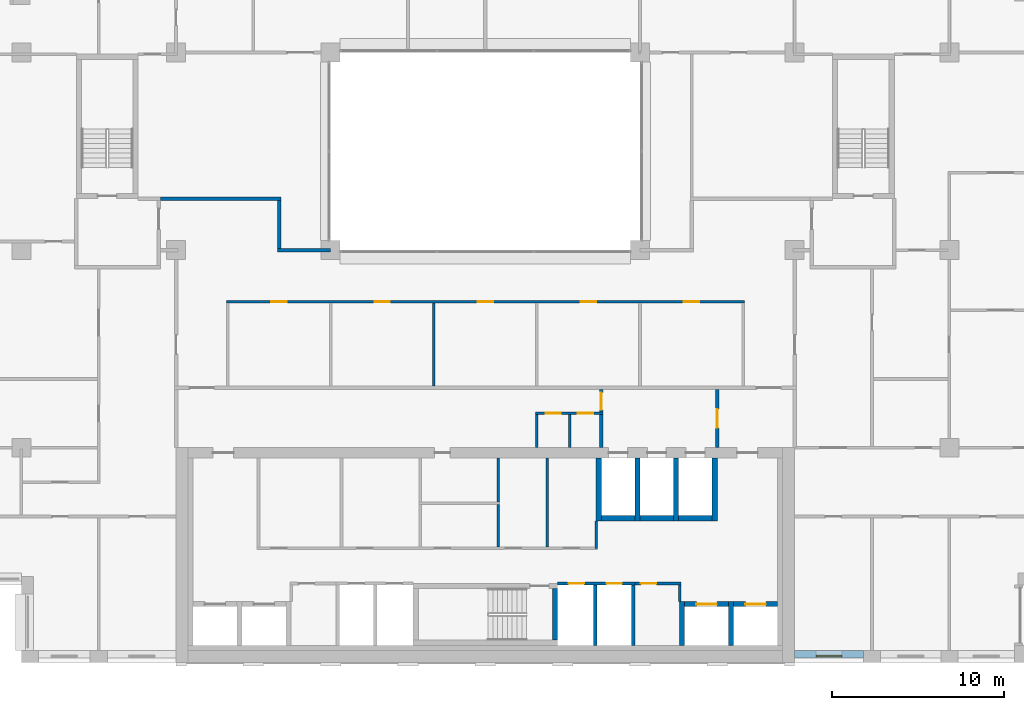
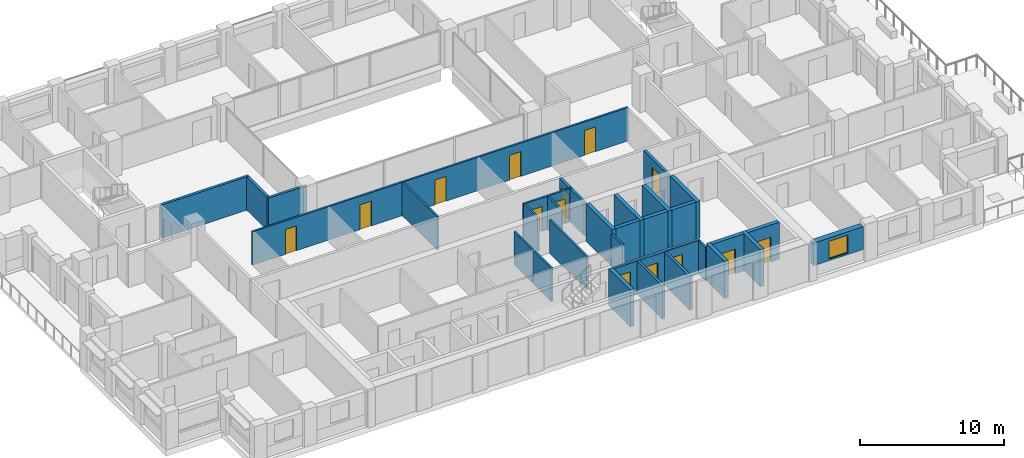
# One storey, part 10 of 17: 33 walls, 14 doors, 1 window, 15 openings.
"""IFC4 building model written with IfcOpenShell, lengths in metres."""

from ifc_helpers import new_model, si_unit, direction, frame, frame_2d, origin, place, context, subcontext, project, spatial, rectangle, extrude, material, layer, layer_set, type_object, element, fill, save


model = new_model("IFC4")

# Units and contexts
model_context = context("Model", 3, precision=1e-05, world=origin(), true_north=direction((0.0, 1.0)))
body_context = subcontext(model_context, "Body", "Model", "MODEL_VIEW")
ifc_project = project(units=[si_unit("LENGTHUNIT", "METRE"), si_unit("AREAUNIT", "SQUARE_METRE"), si_unit("VOLUMEUNIT", "CUBIC_METRE"), si_unit("PLANEANGLEUNIT", "RADIAN"), si_unit("MASSUNIT", "GRAM", prefix="KILO")], contexts=[model_context])

# Site, building, storey
site_placement = place(None, origin())
site = spatial("IfcSite", under=ifc_project, at=site_placement, CompositionType="ELEMENT")
building_placement = place(site_placement, origin())
building = spatial("IfcBuilding", under=site, at=building_placement, Name="Brigalow Station Residences", CompositionType="ELEMENT")
storey_placement = place(building_placement, frame((0.0, 0.0, 141.300048828125)))
storey = spatial("IfcBuildingStorey", under=building, at=storey_placement, Name="L40", CompositionType="ELEMENT", Elevation=141.300048828125)

# Wall, opening, window
ifc_material_1 = material(Name="Clay brick masonry", Category="masonry")
ifc_layer_1 = layer(ifc_material_1, 0.449951171875)
ifc_layer_set_1 = layer_set([ifc_layer_1], Name="BRICK INFILL WALL 450")
wall_type_1 = type_object("IfcWallType", Name="BRICK INFILL WALL 450", PredefinedType="SOLIDWALL", material=ifc_layer_set_1)
wall_1_placement = place(storey_placement, frame((54.0, 0.47509765625, 0.89990234375), z_axis=(0.0, 0.0, 1.0), x_axis=(1.0, 0.0, 0.0)))
wall_1 = element("IfcWall", 1, at=wall_1_placement, inside=storey, type_object=wall_type_1, Name="L40/ewall/W-L40-4", PredefinedType="SOLIDWALL", context=body_context, shape_type="SweptSolid", body=[
    extrude(rectangle(XDim=4.0, YDim=0.449951171875, at=frame_2d((2.0, 0.0))), origin(), (0.0, 0.0, 1.0), 1.929931640625),
])
opening_1_placement = place(wall_1_placement, frame((1.25, 0.0, 0.14990234375)))
opening_1 = element("IfcOpeningElement", 2, at=opening_1_placement, cuts=wall_1, Name="Opening WT-1", PredefinedType="OPENING", context=body_context, shape_type="SweptSolid", body=[
    extrude(rectangle(XDim=1.5, YDim=1.5, at=frame_2d((0.75, 0.75))), frame((0.0, 0.23486328125, 0.0), z_axis=(0.0, -1.0, 0.0), x_axis=(1.0, 0.0, 0.0)), (0.0, 0.0, 1.0), 0.469970703125),
])
ifc_material_2 = material(Name="Anodised aluminium frame with double glazing", Category="aluminium")
window_type = type_object("IfcWindowType", Name="WINDOW 1500x1500", PartitioningType="SINGLE_PANEL", PredefinedType="WINDOW", material=ifc_material_2)
window_placement = place(opening_1_placement, origin())
window = element("IfcWindow", 3, at=window_placement, inside=storey, type_object=window_type, Name="L40/window/W-L40-4", OverallHeight=1.5, OverallWidth=1.5, PartitioningType="SINGLE_PANEL", PredefinedType="WINDOW", context=body_context, shape_type="SweptSolid", body=[
    extrude(rectangle(XDim=1.5, YDim=1.5, at=frame_2d((0.75, 0.75))), frame((0.0, -0.06494140625, 0.0), z_axis=(0.0, -1.0, 0.0), x_axis=(1.0, 0.0, 0.0)), (0.0, 0.0, 1.0), 0.06005859375),
])
fill(opening_1, window)

# Walls
ifc_material_3 = material(Name="Concrete C65", Category="concrete")
ifc_layer_2 = layer(ifc_material_3, 0.300048828125)
ifc_layer_set_2 = layer_set([ifc_layer_2], Name="CORE SHEAR WALL 300 C65")
wall_type_2 = type_object("IfcWallType", Name="CORE SHEAR WALL 300 C65", PredefinedType="SHEAR", material=ifc_layer_set_2)
wall_2_placement = place(storey_placement, frame((42.75, 8.39990234375, 0.0), z_axis=(0.0, 0.0, 1.0), x_axis=(1.0, 0.0, 0.0)))
element("IfcWall", 4, at=wall_2_placement, inside=storey, type_object=wall_type_2, Name="CORE WALL SH-FF1-S L40", PredefinedType="SHEAR", context=body_context, shape_type="SweptSolid", body=[
    extrude(rectangle(XDim=1.949951171875, YDim=0.300048828125, at=frame_2d((0.97509765625, 0.0))), origin(), (0.0, 0.0, 1.0), 3.14990234375),
])
wall_3_placement = place(storey_placement, frame((42.60009765625, 8.25, 0.0), z_axis=(0.0, 0.0, 1.0), x_axis=(0.0, 1.0, 0.0)))
element("IfcWall", 5, at=wall_3_placement, inside=storey, type_object=wall_type_2, Name="CORE WALL SH-FF1-W L40", PredefinedType="SHEAR", context=body_context, shape_type="SweptSolid", body=[
    extrude(rectangle(XDim=3.64990234375, YDim=0.300048828125, at=frame_2d((1.824951171875, 0.0))), origin(), (0.0, 0.0, 1.0), 3.14990234375),
])
wall_4_placement = place(storey_placement, frame((45.0, 8.39990234375, 0.0), z_axis=(0.0, 0.0, 1.0), x_axis=(1.0, 0.0, 0.0)))
element("IfcWall", 6, at=wall_4_placement, inside=storey, type_object=wall_type_2, Name="CORE WALL SH-FF2-S L40", PredefinedType="SHEAR", context=body_context, shape_type="SweptSolid", body=[
    extrude(rectangle(XDim=1.949951171875, YDim=0.300048828125, at=frame_2d((0.97509765625, 0.0))), origin(), (0.0, 0.0, 1.0), 3.14990234375),
])
wall_5_placement = place(storey_placement, frame((44.85009765625, 8.25, 0.0), z_axis=(0.0, 0.0, 1.0), x_axis=(0.0, 1.0, 0.0)))
element("IfcWall", 7, at=wall_5_placement, inside=storey, type_object=wall_type_2, Name="CORE WALL SH-FF2-W L40", PredefinedType="SHEAR", context=body_context, shape_type="SweptSolid", body=[
    extrude(rectangle(XDim=3.64990234375, YDim=0.300048828125, at=frame_2d((1.824951171875, 0.0))), origin(), (0.0, 0.0, 1.0), 3.14990234375),
])
wall_6_placement = place(storey_placement, frame((47.25, 8.39990234375, 0.0), z_axis=(0.0, 0.0, 1.0), x_axis=(1.0, 0.0, 0.0)))
element("IfcWall", 8, at=wall_6_placement, inside=storey, type_object=wall_type_2, Name="CORE WALL SH-SL1-S L40", PredefinedType="SHEAR", context=body_context, shape_type="SweptSolid", body=[
    extrude(rectangle(XDim=1.949951171875, YDim=0.300048828125, at=frame_2d((0.97509765625, 0.0))), origin(), (0.0, 0.0, 1.0), 3.14990234375),
])
for number, where, z_axis, x_axis, name in (
    (9, (47.10009765625, 8.25, 0.0), (0.0, 0.0, 1.0), (0.0, 1.0, 0.0), "CORE WALL SH-SL1-W L40"),
    (10, (49.35009765625, 8.25, 0.0), (0.0, 0.0, 1.0), (0.0, 1.0, 0.0), "CORE WALL SH-SL1-E L40"),
):
    element("IfcWall", number, at=place(storey_placement, frame(where, z_axis=z_axis, x_axis=x_axis)), inside=storey, type_object=wall_type_2, Name=name, PredefinedType="SHEAR", context=body_context, shape_type="SweptSolid", body=[
        extrude(rectangle(XDim=3.64990234375, YDim=0.300048828125, at=frame_2d((1.824951171875, 0.0))), origin(), (0.0, 0.0, 1.0), 3.14990234375),
    ])

# Wall, opening, door
wall_7_placement = place(storey_placement, frame((47.60009765625, 3.39990234375, 0.0), z_axis=(0.0, 0.0, 1.0), x_axis=(1.0, 0.0, 0.0)))
wall_7 = element("IfcWall", 11, at=wall_7_placement, inside=storey, type_object=wall_type_2, Name="CORE WALL SH-C3-N L40", PredefinedType="SHEAR", context=body_context, shape_type="SweptSolid", body=[
    extrude(rectangle(XDim=2.5498046875, YDim=0.300048828125, at=frame_2d((1.27490234375, 0.0))), origin(), (0.0, 0.0, 1.0), 3.14990234375),
])
opening_2_placement = place(wall_7_placement, frame((0.675048828125, 0.0, 0.0)))
opening_2 = element("IfcOpeningElement", 12, at=opening_2_placement, cuts=wall_7, Name="Opening LD-LB3", PredefinedType="OPENING", context=body_context, shape_type="SweptSolid", body=[
    extrude(rectangle(XDim=1.199951171875, YDim=2.10009765625, at=frame_2d((0.60009765625, 1.050048828125))), frame((0.0, 0.16015625, 0.0), z_axis=(0.0, -1.0, 0.0), x_axis=(1.0, 0.0, 0.0)), (0.0, 0.0, 1.0), 0.320068359375),
])
ifc_material_4 = material(Name="Stainless steel sliding door leaves", Category="steel")
door_type_1 = type_object("IfcDoorType", Name="LIFT LANDING DOOR 1200 x 2100", OperationType="DOUBLE_DOOR_SLIDING", PredefinedType="DOOR", material=ifc_material_4)
door_1_placement = place(opening_2_placement, origin())
door_1 = element("IfcDoor", 13, at=door_1_placement, inside=storey, type_object=door_type_1, Name="LANDING DOOR LB3", OperationType="DOUBLE_DOOR_SLIDING", OverallHeight=2.10009765625, OverallWidth=1.199951171875, PredefinedType="DOOR", context=body_context, shape_type="SweptSolid", body=[
    extrude(rectangle(XDim=1.199951171875, YDim=2.10009765625, at=frame_2d((0.60009765625, 1.050048828125))), frame((0.0, 0.02490234375, 0.0), z_axis=(0.0, -1.0, 0.0), x_axis=(1.0, 0.0, 0.0)), (0.0, 0.0, 1.0), 0.050048828125),
])
fill(opening_2, door_1)

# Wall
wall_8_placement = place(storey_placement, frame((47.449951171875, 1.0, 0.0), z_axis=(0.0, 0.0, 1.0), x_axis=(0.0, 1.0, 0.0)))
element("IfcWall", 14, at=wall_8_placement, inside=storey, type_object=wall_type_2, Name="CORE WALL SH-C3-W L40", PredefinedType="SHEAR", context=body_context, shape_type="SweptSolid", body=[
    extrude(rectangle(XDim=2.550048828125, YDim=0.300048828125, at=frame_2d((1.27490234375, 0.0))), origin(), (0.0, 0.0, 1.0), 3.14990234375),
])

# Wall, opening, door
wall_9_placement = place(storey_placement, frame((50.449951171875, 3.39990234375, 0.0), z_axis=(0.0, 0.0, 1.0), x_axis=(1.0, 0.0, 0.0)))
wall_9 = element("IfcWall", 15, at=wall_9_placement, inside=storey, type_object=wall_type_2, Name="CORE WALL SH-C4-N L40", PredefinedType="SHEAR", context=body_context, shape_type="SweptSolid", body=[
    extrude(rectangle(XDim=2.550048828125, YDim=0.300048828125, at=frame_2d((1.27490234375, 0.0))), origin(), (0.0, 0.0, 1.0), 3.14990234375),
])
opening_3_placement = place(wall_9_placement, frame((0.675048828125, 0.0, 0.0)))
opening_3 = element("IfcOpeningElement", 16, at=opening_3_placement, cuts=wall_9, Name="Opening LD-LB4", PredefinedType="OPENING", context=body_context, shape_type="SweptSolid", body=[
    extrude(rectangle(XDim=1.199951171875, YDim=2.10009765625, at=frame_2d((0.60009765625, 1.050048828125))), frame((0.0, 0.16015625, 0.0), z_axis=(0.0, -1.0, 0.0), x_axis=(1.0, 0.0, 0.0)), (0.0, 0.0, 1.0), 0.320068359375),
])
door_2_placement = place(opening_3_placement, origin())
door_2 = element("IfcDoor", 17, at=door_2_placement, inside=storey, type_object=door_type_1, Name="LANDING DOOR LB4", OperationType="DOUBLE_DOOR_SLIDING", OverallHeight=2.10009765625, OverallWidth=1.199951171875, PredefinedType="DOOR", context=body_context, shape_type="SweptSolid", body=[
    extrude(rectangle(XDim=1.199951171875, YDim=2.10009765625, at=frame_2d((0.60009765625, 1.050048828125))), frame((0.0, 0.02490234375, 0.0), z_axis=(0.0, -1.0, 0.0), x_axis=(1.0, 0.0, 0.0)), (0.0, 0.0, 1.0), 0.050048828125),
])
fill(opening_3, door_2)

# Walls
wall_10_placement = place(storey_placement, frame((50.300048828125, 1.0, 0.0), z_axis=(0.0, 0.0, 1.0), x_axis=(0.0, 1.0, 0.0)))
element("IfcWall", 18, at=wall_10_placement, inside=storey, type_object=wall_type_2, Name="CORE WALL SH-C4-W L40", PredefinedType="SHEAR", context=body_context, shape_type="SweptSolid", body=[
    extrude(rectangle(XDim=2.550048828125, YDim=0.300048828125, at=frame_2d((1.27490234375, 0.0))), origin(), (0.0, 0.0, 1.0), 3.14990234375),
])
wall_11_placement = place(storey_placement, frame((40.050048828125, 1.300048828125, 0.0), z_axis=(0.0, 0.0, 1.0), x_axis=(0.0, 1.0, 0.0)))
element("IfcWall", 19, at=wall_11_placement, inside=storey, type_object=wall_type_2, Name="CORE WALL ST-S2-E L40", PredefinedType="SHEAR", context=body_context, shape_type="SweptSolid", body=[
    extrude(rectangle(XDim=3.0, YDim=0.300048828125, at=frame_2d((1.5, 0.0))), origin(), (0.0, 0.0, 1.0), 3.14990234375),
])

# Wall, openings, doors
ifc_material_5 = material(Name="Concrete blockwork", Category="masonry")
ifc_layer_3 = layer(ifc_material_5, 0.199951171875)
ifc_layer_set_3 = layer_set([ifc_layer_3], Name="FIRE RATED CORE PARTITION 200")
wall_type_3 = type_object("IfcWallType", Name="FIRE RATED CORE PARTITION 200", PredefinedType="PARTITIONING", material=ifc_layer_set_3)
wall_12_placement = place(storey_placement, frame((40.199951171875, 4.60009765625, 0.0), z_axis=(0.0, 0.0, 1.0), x_axis=(1.0, 0.0, 0.0)))
wall_12 = element("IfcWall", 20, at=wall_12_placement, inside=storey, type_object=wall_type_3, Name="PW-5018", PredefinedType="PARTITIONING", context=body_context, shape_type="SweptSolid", body=[
    extrude(rectangle(XDim=4.5, YDim=0.199951171875, at=frame_2d((2.25, 0.0))), origin(), (0.0, 0.0, 1.0), 2.829833984375),
])
opening_4_placement = place(wall_12_placement, frame((0.64990234375, 0.0, 0.0)))
opening_4 = element("IfcOpeningElement", 21, at=opening_4_placement, cuts=wall_12, Name="Opening D-5009", PredefinedType="OPENING", context=body_context, shape_type="SweptSolid", body=[
    extrude(rectangle(XDim=0.89990234375, YDim=2.10009765625, at=frame_2d((0.449951171875, 1.050048828125))), frame((0.0, 0.10986328125, 0.0), z_axis=(0.0, -1.0, 0.0), x_axis=(1.0, 0.0, 0.0)), (0.0, 0.0, 1.0), 0.219970703125),
])
opening_5_placement = place(wall_12_placement, frame((2.85009765625, 0.0, 0.0)))
opening_5 = element("IfcOpeningElement", 22, at=opening_5_placement, cuts=wall_12, Name="Opening D-5010", PredefinedType="OPENING", context=body_context, shape_type="SweptSolid", body=[
    extrude(rectangle(XDim=0.89990234375, YDim=2.10009765625, at=frame_2d((0.449951171875, 1.050048828125))), frame((0.0, 0.10986328125, 0.0), z_axis=(0.0, -1.0, 0.0), x_axis=(1.0, 0.0, 0.0)), (0.0, 0.0, 1.0), 0.219970703125),
])
ifc_material_6 = material(Name="Steel fire door leaf in steel frame", Category="steel")
door_type_2 = type_object("IfcDoorType", Name="RISER ACCESS DOOR 900 x 2100 FD120", OperationType="SINGLE_SWING_LEFT", PredefinedType="DOOR", material=ifc_material_6)
door_3_placement = place(opening_4_placement, frame((0.89990234375, 0.0, 0.0), z_axis=(0.0, 0.0, 1.0), x_axis=(-1.0, 0.0, 0.0)))
door_3 = element("IfcDoor", 23, at=door_3_placement, inside=storey, type_object=door_type_2, Name="D-5009", OperationType="SINGLE_SWING_LEFT", OverallHeight=2.10009765625, OverallWidth=0.89990234375, PredefinedType="DOOR", context=body_context, shape_type="SweptSolid", body=[
    extrude(rectangle(XDim=0.89990234375, YDim=2.10009765625, at=frame_2d((0.449951171875, 1.050048828125))), frame((0.0, 0.02490234375, 0.0), z_axis=(0.0, -1.0, 0.0), x_axis=(1.0, 0.0, 0.0)), (0.0, 0.0, 1.0), 0.050048828125),
])
fill(opening_4, door_3)
door_4_placement = place(opening_5_placement, frame((0.89990234375, 0.0, 0.0), z_axis=(0.0, 0.0, 1.0), x_axis=(-1.0, 0.0, 0.0)))
door_4 = element("IfcDoor", 24, at=door_4_placement, inside=storey, type_object=door_type_2, Name="D-5010", OperationType="SINGLE_SWING_LEFT", OverallHeight=2.10009765625, OverallWidth=0.89990234375, PredefinedType="DOOR", context=body_context, shape_type="SweptSolid", body=[
    extrude(rectangle(XDim=0.89990234375, YDim=2.10009765625, at=frame_2d((0.449951171875, 1.050048828125))), frame((0.0, 0.02490234375, 0.0), z_axis=(0.0, -1.0, 0.0), x_axis=(1.0, 0.0, 0.0)), (0.0, 0.0, 1.0), 0.050048828125),
])
fill(opening_5, door_4)

# Walls
for number, where, z_axis, x_axis, name in (
    (25, (42.39990234375, 1.0, 0.0), (0.0, 0.0, 1.0), (0.0, 1.0, 0.0), "PW-5007"),
    (26, (44.60009765625, 1.0, 0.0), (0.0, 0.0, 1.0), (0.0, 1.0, 0.0), "PW-5008"),
):
    element("IfcWall", number, at=place(storey_placement, frame(where, z_axis=z_axis, x_axis=x_axis)), inside=storey, type_object=wall_type_3, Name=name, PredefinedType="PARTITIONING", context=body_context, shape_type="SweptSolid", body=[
        extrude(rectangle(XDim=3.5, YDim=0.199951171875, at=frame_2d((1.75, 0.0))), origin(), (0.0, 0.0, 1.0), 2.829833984375),
    ])
wall_13_placement = place(storey_placement, frame((42.75, 12.5, 0.0), z_axis=(0.0, 0.0, 1.0), x_axis=(0.0, 1.0, 0.0)))
element("IfcWall", 27, at=wall_13_placement, inside=storey, type_object=wall_type_3, Name="PW-5046", PredefinedType="PARTITIONING", context=body_context, shape_type="SweptSolid", body=[
    extrude(rectangle(XDim=1.925048828125, YDim=0.199951171875, at=frame_2d((0.96240234375, 0.0))), origin(), (0.0, 0.0, 1.0), 2.829833984375),
])

# Wall, opening, door
wall_14_placement = place(storey_placement, frame((49.5, 12.5, 0.0), z_axis=(0.0, 0.0, 1.0), x_axis=(0.0, 1.0, 0.0)))
wall_14 = element("IfcWall", 28, at=wall_14_placement, inside=storey, type_object=wall_type_3, Name="PW-5015", PredefinedType="PARTITIONING", context=body_context, shape_type="SweptSolid", body=[
    extrude(rectangle(XDim=3.39990234375, YDim=0.199951171875, at=frame_2d((1.699951171875, 0.0))), origin(), (0.0, 0.0, 1.0), 2.829833984375),
])
opening_6_placement = place(wall_14_placement, frame((1.14990234375, 0.0, 0.0)))
opening_6 = element("IfcOpeningElement", 29, at=opening_6_placement, cuts=wall_14, Name="Opening D-5014", PredefinedType="OPENING", context=body_context, shape_type="SweptSolid", body=[
    extrude(rectangle(XDim=1.10009765625, YDim=2.10009765625, at=frame_2d((0.550048828125, 1.050048828125))), frame((0.0, 0.10986328125, 0.0), z_axis=(0.0, -1.0, 0.0), x_axis=(1.0, 0.0, 0.0)), (0.0, 0.0, 1.0), 0.219970703125),
])
ifc_material_7 = material(Name="Steel fire door leaf in steel frame", Category="steel")
door_type_3 = type_object("IfcDoorType", Name="LOBBY DOOR 1100 x 2100 FD60S", OperationType="SINGLE_SWING_LEFT", PredefinedType="DOOR", material=ifc_material_7)
door_5_placement = place(opening_6_placement, origin())
door_5 = element("IfcDoor", 30, at=door_5_placement, inside=storey, type_object=door_type_3, Name="D-5014", OperationType="SINGLE_SWING_LEFT", OverallHeight=2.10009765625, OverallWidth=1.10009765625, PredefinedType="DOOR", context=body_context, shape_type="SweptSolid", body=[
    extrude(rectangle(XDim=1.10009765625, YDim=2.10009765625, at=frame_2d((0.550048828125, 1.050048828125))), frame((0.0, 0.02490234375, 0.0), z_axis=(0.0, -1.0, 0.0), x_axis=(1.0, 0.0, 0.0)), (0.0, 0.0, 1.0), 0.050048828125),
])
fill(opening_6, door_5)

wall_15_placement = place(storey_placement, frame((42.75, 14.574951171875, 0.0), z_axis=(0.0, 0.0, 1.0), x_axis=(0.0, 1.0, 0.0)))
wall_15 = element("IfcWall", 31, at=wall_15_placement, inside=storey, type_object=wall_type_3, Name="PW-5047", PredefinedType="PARTITIONING", context=body_context, shape_type="SweptSolid", body=[
    extrude(rectangle(XDim=1.324951171875, YDim=0.199951171875, at=frame_2d((0.66259765625, 0.0))), origin(), (0.0, 0.0, 1.0), 2.829833984375),
])
opening_7_placement = place(wall_15_placement, frame((0.125, 0.0, 0.0)))
opening_7 = element("IfcOpeningElement", 32, at=opening_7_placement, cuts=wall_15, Name="Opening D-5013", PredefinedType="OPENING", context=body_context, shape_type="SweptSolid", body=[
    extrude(rectangle(XDim=1.0, YDim=2.10009765625, at=frame_2d((0.5, 1.050048828125))), frame((0.0, 0.10986328125, 0.0), z_axis=(0.0, -1.0, 0.0), x_axis=(1.0, 0.0, 0.0)), (0.0, 0.0, 1.0), 0.219970703125),
])
ifc_material_8 = material(Name="Steel fire door leaf in steel frame", Category="steel")
door_type_4 = type_object("IfcDoorType", Name="LOBBY DOOR 1000 x 2100 FD60S", OperationType="SINGLE_SWING_LEFT", PredefinedType="DOOR", material=ifc_material_8)
door_6_placement = place(opening_7_placement, origin())
door_6 = element("IfcDoor", 33, at=door_6_placement, inside=storey, type_object=door_type_4, Name="D-5013", OperationType="SINGLE_SWING_LEFT", OverallHeight=2.10009765625, OverallWidth=1.0, PredefinedType="DOOR", context=body_context, shape_type="SweptSolid", body=[
    extrude(rectangle(XDim=1.0, YDim=2.10009765625, at=frame_2d((0.5, 1.050048828125))), frame((0.0, 0.02490234375, 0.0), z_axis=(0.0, -1.0, 0.0), x_axis=(1.0, 0.0, 0.0)), (0.0, 0.0, 1.0), 0.050048828125),
])
fill(opening_7, door_6)

# Wall, openings, doors
ifc_material_9 = material(Name="Plasterboard on steel stud partition", Category="steel")
ifc_layer_4 = layer(ifc_material_9, 0.14990234375)
ifc_layer_set_4 = layer_set([ifc_layer_4], Name="FLAT PARTITION 150")
wall_type_4 = type_object("IfcWallType", Name="FLAT PARTITION 150", PredefinedType="PARTITIONING", material=ifc_layer_set_4)
wall_16_placement = place(storey_placement, frame((20.925048828125, 21.0, 0.0), z_axis=(0.0, 0.0, 1.0), x_axis=(1.0, 0.0, 0.0)))
wall_16 = element("IfcWall", 34, at=wall_16_placement, inside=storey, type_object=wall_type_4, Name="PW-3A06", PredefinedType="PARTITIONING", context=body_context, shape_type="SweptSolid", body=[
    extrude(rectangle(XDim=30.14990234375, YDim=0.14990234375, at=frame_2d((15.074951171875, 0.0))), origin(), (0.0, 0.0, 1.0), 2.829833984375),
])
opening_8_placement = place(wall_16_placement, frame((2.625, 0.0, 0.0)))
opening_8 = element("IfcOpeningElement", 35, at=opening_8_placement, cuts=wall_16, Name="Opening D-3A37", PredefinedType="OPENING", context=body_context, shape_type="SweptSolid", body=[
    extrude(rectangle(XDim=0.89990234375, YDim=2.10009765625, at=frame_2d((0.449951171875, 1.050048828125))), frame((0.0, 0.0849609375, 0.0), z_axis=(0.0, -1.0, 0.0), x_axis=(1.0, 0.0, 0.0)), (0.0, 0.0, 1.0), 0.169921875),
])
opening_9_placement = place(wall_16_placement, frame((8.625, 0.0, 0.0)))
opening_9 = element("IfcOpeningElement", 36, at=opening_9_placement, cuts=wall_16, Name="Opening D-3A38", PredefinedType="OPENING", context=body_context, shape_type="SweptSolid", body=[
    extrude(rectangle(XDim=0.89990234375, YDim=2.10009765625, at=frame_2d((0.449951171875, 1.050048828125))), frame((0.0, 0.0849609375, 0.0), z_axis=(0.0, -1.0, 0.0), x_axis=(1.0, 0.0, 0.0)), (0.0, 0.0, 1.0), 0.169921875),
])
opening_10_placement = place(wall_16_placement, frame((14.625, 0.0, 0.0)))
opening_10 = element("IfcOpeningElement", 37, at=opening_10_placement, cuts=wall_16, Name="Opening D-3A39", PredefinedType="OPENING", context=body_context, shape_type="SweptSolid", body=[
    extrude(rectangle(XDim=0.89990234375, YDim=2.10009765625, at=frame_2d((0.449951171875, 1.050048828125))), frame((0.0, 0.0849609375, 0.0), z_axis=(0.0, -1.0, 0.0), x_axis=(1.0, 0.0, 0.0)), (0.0, 0.0, 1.0), 0.169921875),
])
opening_11_placement = place(wall_16_placement, frame((20.625, 0.0, 0.0)))
opening_11 = element("IfcOpeningElement", 38, at=opening_11_placement, cuts=wall_16, Name="Opening D-3A40", PredefinedType="OPENING", context=body_context, shape_type="SweptSolid", body=[
    extrude(rectangle(XDim=0.89990234375, YDim=2.10009765625, at=frame_2d((0.449951171875, 1.050048828125))), frame((0.0, 0.0849609375, 0.0), z_axis=(0.0, -1.0, 0.0), x_axis=(1.0, 0.0, 0.0)), (0.0, 0.0, 1.0), 0.169921875),
])
opening_12_placement = place(wall_16_placement, frame((26.625, 0.0, 0.0)))
opening_12 = element("IfcOpeningElement", 39, at=opening_12_placement, cuts=wall_16, Name="Opening D-3A41", PredefinedType="OPENING", context=body_context, shape_type="SweptSolid", body=[
    extrude(rectangle(XDim=0.89990234375, YDim=2.10009765625, at=frame_2d((0.449951171875, 1.050048828125))), frame((0.0, 0.0849609375, 0.0), z_axis=(0.0, -1.0, 0.0), x_axis=(1.0, 0.0, 0.0)), (0.0, 0.0, 1.0), 0.169921875),
])
ifc_material_10 = material(Name="Solid-core timber door leaf", Category="wood")
door_type_5 = type_object("IfcDoorType", Name="INTERNAL DOOR 900 x 2100", OperationType="SINGLE_SWING_LEFT", PredefinedType="DOOR", material=ifc_material_10)
door_7_placement = place(opening_8_placement, frame((0.89990234375, 0.0, 0.0), z_axis=(0.0, 0.0, 1.0), x_axis=(-1.0, 0.0, 0.0)))
door_7 = element("IfcDoor", 40, at=door_7_placement, inside=storey, type_object=door_type_5, Name="D-3A37", OperationType="SINGLE_SWING_RIGHT", OverallHeight=2.10009765625, OverallWidth=0.89990234375, PredefinedType="DOOR", context=body_context, shape_type="SweptSolid", body=[
    extrude(rectangle(XDim=0.89990234375, YDim=2.10009765625, at=frame_2d((0.449951171875, 1.050048828125))), frame((0.0, 0.02490234375, 0.0), z_axis=(0.0, -1.0, 0.0), x_axis=(1.0, 0.0, 0.0)), (0.0, 0.0, 1.0), 0.050048828125),
])
fill(opening_8, door_7)
door_8_placement = place(opening_9_placement, frame((0.89990234375, 0.0, 0.0), z_axis=(0.0, 0.0, 1.0), x_axis=(-1.0, 0.0, 0.0)))
door_8 = element("IfcDoor", 41, at=door_8_placement, inside=storey, type_object=door_type_5, Name="D-3A38", OperationType="SINGLE_SWING_LEFT", OverallHeight=2.10009765625, OverallWidth=0.89990234375, PredefinedType="DOOR", context=body_context, shape_type="SweptSolid", body=[
    extrude(rectangle(XDim=0.89990234375, YDim=2.10009765625, at=frame_2d((0.449951171875, 1.050048828125))), frame((0.0, 0.02490234375, 0.0), z_axis=(0.0, -1.0, 0.0), x_axis=(1.0, 0.0, 0.0)), (0.0, 0.0, 1.0), 0.050048828125),
])
fill(opening_9, door_8)
door_9_placement = place(opening_10_placement, frame((0.89990234375, 0.0, 0.0), z_axis=(0.0, 0.0, 1.0), x_axis=(-1.0, 0.0, 0.0)))
door_9 = element("IfcDoor", 42, at=door_9_placement, inside=storey, type_object=door_type_5, Name="D-3A39", OperationType="SINGLE_SWING_LEFT", OverallHeight=2.10009765625, OverallWidth=0.89990234375, PredefinedType="DOOR", context=body_context, shape_type="SweptSolid", body=[
    extrude(rectangle(XDim=0.89990234375, YDim=2.10009765625, at=frame_2d((0.449951171875, 1.050048828125))), frame((0.0, 0.02490234375, 0.0), z_axis=(0.0, -1.0, 0.0), x_axis=(1.0, 0.0, 0.0)), (0.0, 0.0, 1.0), 0.050048828125),
])
fill(opening_10, door_9)
door_10_placement = place(opening_11_placement, frame((0.89990234375, 0.0, 0.0), z_axis=(0.0, 0.0, 1.0), x_axis=(-1.0, 0.0, 0.0)))
door_10 = element("IfcDoor", 43, at=door_10_placement, inside=storey, type_object=door_type_5, Name="D-3A40", OperationType="SINGLE_SWING_LEFT", OverallHeight=2.10009765625, OverallWidth=0.89990234375, PredefinedType="DOOR", context=body_context, shape_type="SweptSolid", body=[
    extrude(rectangle(XDim=0.89990234375, YDim=2.10009765625, at=frame_2d((0.449951171875, 1.050048828125))), frame((0.0, 0.02490234375, 0.0), z_axis=(0.0, -1.0, 0.0), x_axis=(1.0, 0.0, 0.0)), (0.0, 0.0, 1.0), 0.050048828125),
])
fill(opening_11, door_10)
door_11_placement = place(opening_12_placement, frame((0.89990234375, 0.0, 0.0), z_axis=(0.0, 0.0, 1.0), x_axis=(-1.0, 0.0, 0.0)))
door_11 = element("IfcDoor", 44, at=door_11_placement, inside=storey, type_object=door_type_5, Name="D-3A41", OperationType="SINGLE_SWING_RIGHT", OverallHeight=2.10009765625, OverallWidth=0.89990234375, PredefinedType="DOOR", context=body_context, shape_type="SweptSolid", body=[
    extrude(rectangle(XDim=0.89990234375, YDim=2.10009765625, at=frame_2d((0.449951171875, 1.050048828125))), frame((0.0, 0.02490234375, 0.0), z_axis=(0.0, -1.0, 0.0), x_axis=(1.0, 0.0, 0.0)), (0.0, 0.0, 1.0), 0.050048828125),
])
fill(opening_12, door_11)

# Walls
wall_17_placement = place(storey_placement, frame((33.0, 16.10009765625, 0.0), z_axis=(0.0, 0.0, 1.0), x_axis=(0.0, 1.0, 0.0)))
element("IfcWall", 45, at=wall_17_placement, inside=storey, type_object=wall_type_4, Name="PW-3A54", PredefinedType="PARTITIONING", context=body_context, shape_type="SweptSolid", body=[
    extrude(rectangle(XDim=4.824951171875, YDim=0.14990234375, at=frame_2d((2.41259765625, 0.0))), origin(), (0.0, 0.0, 1.0), 2.829833984375),
])
ifc_material_11 = material(Name="Plasterboard on steel stud partition", Category="steel")
ifc_layer_5 = layer(ifc_material_11, 0.199951171875)
ifc_layer_set_5 = layer_set([ifc_layer_5], Name="PARTY AND CORRIDOR WALL 200")
wall_type_5 = type_object("IfcWallType", Name="PARTY AND CORRIDOR WALL 200", PredefinedType="PARTITIONING", material=ifc_layer_set_5)
wall_18_placement = place(storey_placement, frame((23.89990234375, 24.0, 0.0), z_axis=(0.0, 0.0, 1.0), x_axis=(1.0, 0.0, 0.0)))
element("IfcWall", 46, at=wall_18_placement, inside=storey, type_object=wall_type_5, Name="PW-3A03", PredefinedType="PARTITIONING", context=body_context, shape_type="SweptSolid", body=[
    extrude(rectangle(XDim=3.10009765625, YDim=0.199951171875, at=frame_2d((1.550048828125, 0.0))), origin(), (0.0, 0.0, 1.0), 2.829833984375),
])
wall_19_placement = place(storey_placement, frame((17.10009765625, 27.0, 0.0), z_axis=(0.0, 0.0, 1.0), x_axis=(1.0, 0.0, 0.0)))
element("IfcWall", 47, at=wall_19_placement, inside=storey, type_object=wall_type_5, Name="PW-3A07", PredefinedType="PARTITIONING", context=body_context, shape_type="SweptSolid", body=[
    extrude(rectangle(XDim=7.0, YDim=0.199951171875, at=frame_2d((3.5, 0.0))), origin(), (0.0, 0.0, 1.0), 2.829833984375),
])
wall_20_placement = place(storey_placement, frame((24.0, 24.10009765625, 0.0), z_axis=(0.0, 0.0, 1.0), x_axis=(0.0, 1.0, 0.0)))
element("IfcWall", 48, at=wall_20_placement, inside=storey, type_object=wall_type_5, Name="PW-3A35", PredefinedType="PARTITIONING", context=body_context, shape_type="SweptSolid", body=[
    extrude(rectangle(XDim=2.7998046875, YDim=0.199951171875, at=frame_2d((1.39990234375, 0.0))), origin(), (0.0, 0.0, 1.0), 2.829833984375),
])

# Wall, opening, door
ifc_material_12 = material(Name="Plasterboard on steel studs", Category="steel")
ifc_layer_6 = layer(ifc_material_12, 0.14990234375)
ifc_layer_set_6 = layer_set([ifc_layer_6], Name="SERVICE ROOM PARTITION 150")
wall_type_6 = type_object("IfcWallType", Name="SERVICE ROOM PARTITION 150", PredefinedType="PARTITIONING", material=ifc_layer_set_6)
wall_21_placement = place(storey_placement, frame((44.699951171875, 4.60009765625, 0.0), z_axis=(0.0, 0.0, 1.0), x_axis=(1.0, 0.0, 0.0)))
wall_21 = element("IfcWall", 49, at=wall_21_placement, inside=storey, type_object=wall_type_6, Name="PW-5156", PredefinedType="PARTITIONING", context=body_context, shape_type="SweptSolid", body=[
    extrude(rectangle(XDim=2.675048828125, YDim=0.14990234375, at=frame_2d((1.33740234375, 0.0))), origin(), (0.0, 0.0, 1.0), 2.829833984375),
])
opening_13_placement = place(wall_21_placement, frame((0.35009765625, 0.0, 0.0)))
opening_13 = element("IfcOpeningElement", 50, at=opening_13_placement, cuts=wall_21, Name="Opening D-5026", PredefinedType="OPENING", context=body_context, shape_type="SweptSolid", body=[
    extrude(rectangle(XDim=0.89990234375, YDim=2.10009765625, at=frame_2d((0.449951171875, 1.050048828125))), frame((0.0, 0.0849609375, 0.0), z_axis=(0.0, -1.0, 0.0), x_axis=(1.0, 0.0, 0.0)), (0.0, 0.0, 1.0), 0.169921875),
])
ifc_material_13 = material(Name="Steel door leaf in steel frame", Category="steel")
door_type_6 = type_object("IfcDoorType", Name="SERVICE ROOM DOOR 900 x 2100 FD60", OperationType="SINGLE_SWING_LEFT", PredefinedType="DOOR", material=ifc_material_13)
door_12_placement = place(opening_13_placement, frame((0.89990234375, 0.0, 0.0), z_axis=(0.0, 0.0, 1.0), x_axis=(-1.0, 0.0, 0.0)))
door_12 = element("IfcDoor", 51, at=door_12_placement, inside=storey, type_object=door_type_6, Name="D-5026", OperationType="SINGLE_SWING_RIGHT", OverallHeight=2.10009765625, OverallWidth=0.89990234375, PredefinedType="DOOR", context=body_context, shape_type="SweptSolid", body=[
    extrude(rectangle(XDim=0.89990234375, YDim=2.10009765625, at=frame_2d((0.449951171875, 1.050048828125))), frame((0.0, 0.02490234375, 0.0), z_axis=(0.0, -1.0, 0.0), x_axis=(1.0, 0.0, 0.0)), (0.0, 0.0, 1.0), 0.050048828125),
])
fill(opening_13, door_12)

# Wall, openings, doors
wall_22_placement = place(storey_placement, frame((38.925048828125, 14.5, 0.0), z_axis=(0.0, 0.0, 1.0), x_axis=(1.0, 0.0, 0.0)))
wall_22 = element("IfcWall", 52, at=wall_22_placement, inside=storey, type_object=wall_type_6, Name="PW-5129", PredefinedType="PARTITIONING", context=body_context, shape_type="SweptSolid", body=[
    extrude(rectangle(XDim=3.925048828125, YDim=0.14990234375, at=frame_2d((1.96240234375, 0.0))), origin(), (0.0, 0.0, 1.0), 2.829833984375),
])
opening_14_placement = place(wall_22_placement, frame((0.574951171875, 0.0, 0.0)))
opening_14 = element("IfcOpeningElement", 53, at=opening_14_placement, cuts=wall_22, Name="Opening D-5077", PredefinedType="OPENING", context=body_context, shape_type="SweptSolid", body=[
    extrude(rectangle(XDim=0.89990234375, YDim=2.10009765625, at=frame_2d((0.449951171875, 1.050048828125))), frame((0.0, 0.0849609375, 0.0), z_axis=(0.0, -1.0, 0.0), x_axis=(1.0, 0.0, 0.0)), (0.0, 0.0, 1.0), 0.169921875),
])
opening_15_placement = place(wall_22_placement, frame((2.449951171875, 0.0, 0.0)))
opening_15 = element("IfcOpeningElement", 54, at=opening_15_placement, cuts=wall_22, Name="Opening D-5078", PredefinedType="OPENING", context=body_context, shape_type="SweptSolid", body=[
    extrude(rectangle(XDim=0.89990234375, YDim=2.10009765625, at=frame_2d((0.449951171875, 1.050048828125))), frame((0.0, 0.0849609375, 0.0), z_axis=(0.0, -1.0, 0.0), x_axis=(1.0, 0.0, 0.0)), (0.0, 0.0, 1.0), 0.169921875),
])
door_13_placement = place(opening_14_placement, frame((0.89990234375, 0.0, 0.0), z_axis=(0.0, 0.0, 1.0), x_axis=(-1.0, 0.0, 0.0)))
door_13 = element("IfcDoor", 55, at=door_13_placement, inside=storey, type_object=door_type_6, Name="D-5077", OperationType="SINGLE_SWING_RIGHT", OverallHeight=2.10009765625, OverallWidth=0.89990234375, PredefinedType="DOOR", context=body_context, shape_type="SweptSolid", body=[
    extrude(rectangle(XDim=0.89990234375, YDim=2.10009765625, at=frame_2d((0.449951171875, 1.050048828125))), frame((0.0, 0.02490234375, 0.0), z_axis=(0.0, -1.0, 0.0), x_axis=(1.0, 0.0, 0.0)), (0.0, 0.0, 1.0), 0.050048828125),
])
fill(opening_14, door_13)
door_14_placement = place(opening_15_placement, frame((0.89990234375, 0.0, 0.0), z_axis=(0.0, 0.0, 1.0), x_axis=(-1.0, 0.0, 0.0)))
door_14 = element("IfcDoor", 56, at=door_14_placement, inside=storey, type_object=door_type_6, Name="D-5078", OperationType="SINGLE_SWING_LEFT", OverallHeight=2.10009765625, OverallWidth=0.89990234375, PredefinedType="DOOR", context=body_context, shape_type="SweptSolid", body=[
    extrude(rectangle(XDim=0.89990234375, YDim=2.10009765625, at=frame_2d((0.449951171875, 1.050048828125))), frame((0.0, 0.02490234375, 0.0), z_axis=(0.0, -1.0, 0.0), x_axis=(1.0, 0.0, 0.0)), (0.0, 0.0, 1.0), 0.050048828125),
])
fill(opening_15, door_14)

# Walls
wall_23_placement = place(storey_placement, frame((47.300048828125, 3.550048828125, 0.0), z_axis=(0.0, 0.0, 1.0), x_axis=(0.0, 1.0, 0.0)))
element("IfcWall", 57, at=wall_23_placement, inside=storey, type_object=wall_type_6, Name="PW-5158", PredefinedType="PARTITIONING", context=body_context, shape_type="SweptSolid", body=[
    extrude(rectangle(XDim=0.974853515625, YDim=0.14990234375, at=frame_2d((0.4873046875, 0.0))), origin(), (0.0, 0.0, 1.0), 2.829833984375),
])
wall_24_placement = place(storey_placement, frame((42.449951171875, 6.64990234375, 0.0), z_axis=(0.0, 0.0, 1.0), x_axis=(0.0, 1.0, 0.0)))
element("IfcWall", 58, at=wall_24_placement, inside=storey, type_object=wall_type_6, Name="PW-5029", PredefinedType="PARTITIONING", context=body_context, shape_type="SweptSolid", body=[
    extrude(rectangle(XDim=1.60009765625, YDim=0.14990234375, at=frame_2d((0.800048828125, 0.0))), origin(), (0.0, 0.0, 1.0), 2.829833984375),
])
wall_25_placement = place(storey_placement, frame((36.75, 6.72509765625, 0.0), z_axis=(0.0, 0.0, 1.0), x_axis=(0.0, 1.0, 0.0)))
element("IfcWall", 59, at=wall_25_placement, inside=storey, type_object=wall_type_6, Name="PW-5200", PredefinedType="PARTITIONING", context=body_context, shape_type="SweptSolid", body=[
    extrude(rectangle(XDim=2.469970703125, YDim=0.14990234375, at=frame_2d((1.23486328125, 0.0))), origin(), (0.0, 0.0, 1.0), 2.829833984375),
])
wall_26_placement = place(storey_placement, frame((39.60009765625, 6.72509765625, 0.0), z_axis=(0.0, 0.0, 1.0), x_axis=(0.0, 1.0, 0.0)))
element("IfcWall", 60, at=wall_26_placement, inside=storey, type_object=wall_type_6, Name="PW-5201", PredefinedType="PARTITIONING", context=body_context, shape_type="SweptSolid", body=[
    extrude(rectangle(XDim=5.1748046875, YDim=0.14990234375, at=frame_2d((2.58740234375, 0.0))), origin(), (0.0, 0.0, 1.0), 2.829833984375),
])
wall_27_placement = place(storey_placement, frame((36.75, 9.344970703125, 0.0), z_axis=(0.0, 0.0, 1.0), x_axis=(0.0, 1.0, 0.0)))
element("IfcWall", 61, at=wall_27_placement, inside=storey, type_object=wall_type_6, Name="PW-5203", PredefinedType="PARTITIONING", context=body_context, shape_type="SweptSolid", body=[
    extrude(rectangle(XDim=2.554931640625, YDim=0.14990234375, at=frame_2d((1.27734375, 0.0))), origin(), (0.0, 0.0, 1.0), 2.829833984375),
])
for number, where, z_axis, x_axis, name in (
    (62, (39.0, 12.5, 0.0), (0.0, 0.0, 1.0), (0.0, 1.0, 0.0), "PW-5136"),
    (63, (40.89990234375, 12.5, 0.0), (0.0, 0.0, 1.0), (0.0, 1.0, 0.0), "PW-5137"),
):
    element("IfcWall", number, at=place(storey_placement, frame(where, z_axis=z_axis, x_axis=x_axis)), inside=storey, type_object=wall_type_6, Name=name, PredefinedType="PARTITIONING", context=body_context, shape_type="SweptSolid", body=[
        extrude(rectangle(XDim=1.925048828125, YDim=0.14990234375, at=frame_2d((0.96240234375, 0.0))), origin(), (0.0, 0.0, 1.0), 2.829833984375),
    ])

save(model, "model.ifc")
